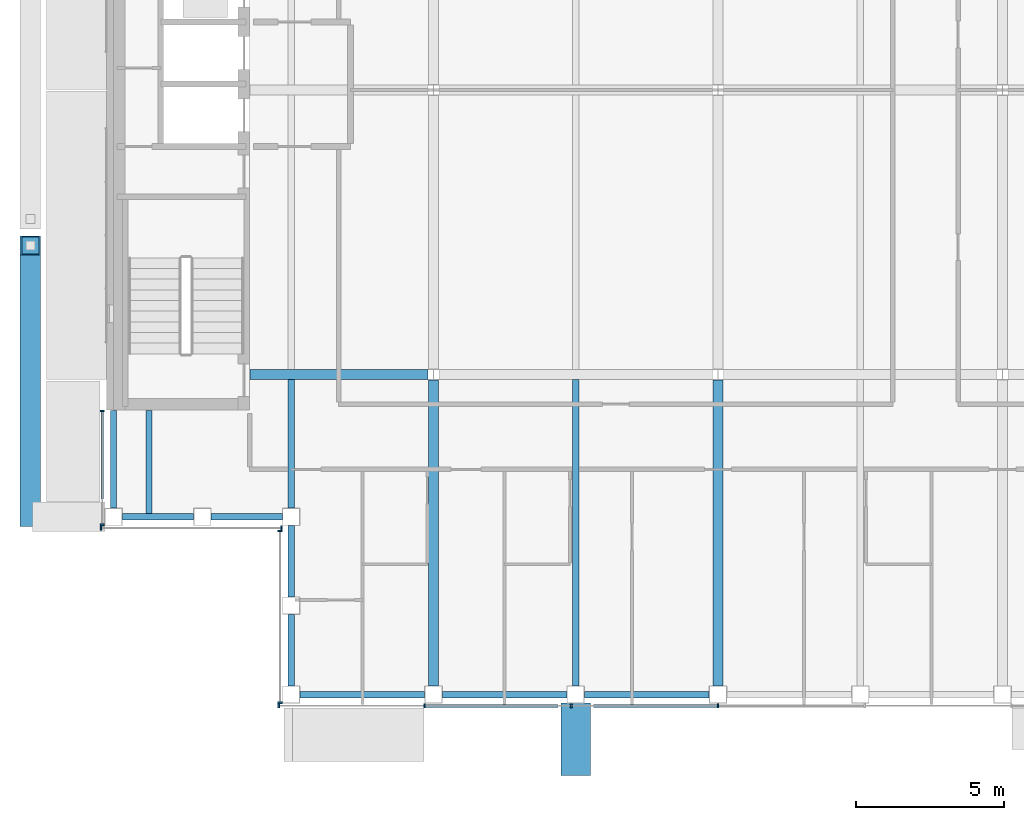
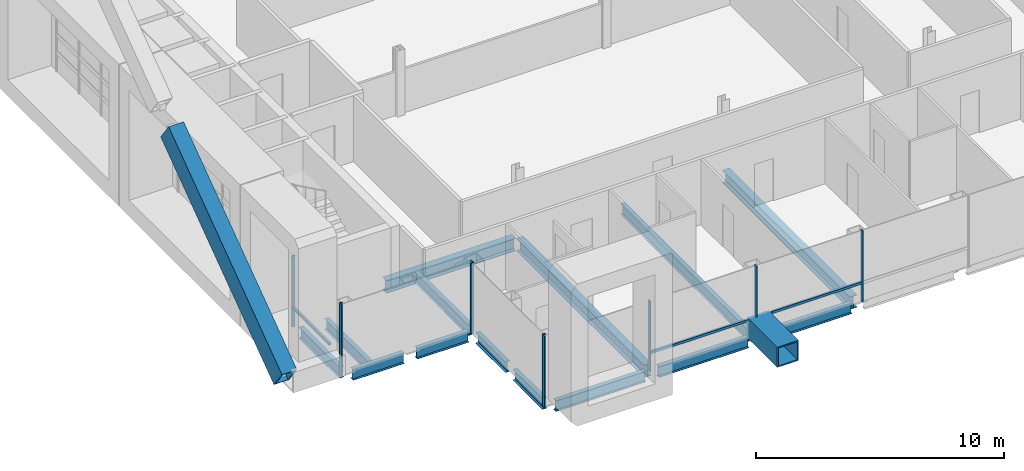
# One storey, part 4 of 23: 15 beams, 14 members, 4 elements without a shape of their own.
"""IFC4 building model written with IfcOpenShell, lengths in metres."""

from ifc_helpers import new_model, si_unit, direction, frame, origin, origin_2d, place, context, subcontext, project, spatial, rectangle, hollow_rectangle, i_section, extrude, material, material_profile, profile_set, type_object, element, aggregate, save


model = new_model("IFC4")

# Units and contexts
model_context = context("Model", 3, precision=1e-05, world=origin(), true_north=direction((0.0, 1.0)))
body_context = subcontext(model_context, "Body", "Model", "MODEL_VIEW")
ifc_project = project(units=[si_unit("LENGTHUNIT", "METRE"), si_unit("AREAUNIT", "SQUARE_METRE"), si_unit("VOLUMEUNIT", "CUBIC_METRE"), si_unit("PLANEANGLEUNIT", "RADIAN"), si_unit("MASSUNIT", "GRAM", prefix="KILO")], contexts=[model_context])

# Site, building, storey
site_placement = place(None, origin())
site = spatial("IfcSite", under=ifc_project, at=site_placement, CompositionType="ELEMENT")
building_placement = place(site_placement, origin())
building = spatial("IfcBuilding", under=site, at=building_placement, Name="Cobrizo Arcos Hotel Tower", CompositionType="ELEMENT")
storey_placement = place(building_placement, frame((0.0, 0.0, 262.0)))
storey = spatial("IfcBuildingStorey", under=building, at=storey_placement, Name="L69", CompositionType="ELEMENT", Elevation=262.0)

# Beam
ifc_material_1 = material(Name="Steel ASTM A572 Grade 50", Category="steel")
ifc_material_profile_1 = material_profile(ifc_material_1, hollow_rectangle(XDim=1.0, YDim=1.0, WallThickness=0.06005859375, at=origin_2d()), Name="BOX 1000X1000X60")
ifc_profile_set_1 = profile_set([ifc_material_profile_1], Name="Steel ASTM A572 Grade 50")
beam_type_1 = type_object("IfcBeamType", Name="BOX 1000X1000X60 brace connector strut", PredefinedType="BEAM", material=ifc_profile_set_1)
beam_1_placement = place(storey_placement, frame((-4.800048828125, -20.68994140625, 0.5), z_axis=(0.0, -1.0, 0.0), x_axis=(1.0, 0.0, 0.0)))
element("IfcBeam", 1, at=beam_1_placement, inside=storey, type_object=beam_type_1, Name="Perimeter brace stub BS1, zone Z5, south face, offset -4.80 m, L69", PredefinedType="BEAM", context=body_context, shape_type="SweptSolid", body=[
    extrude(hollow_rectangle(XDim=1.0, YDim=1.0, WallThickness=0.06005859375, at=origin_2d()), origin(), (0.0, 0.0, 1.0), 2.43017578125),
])

# Member
ifc_material_profile_2 = material_profile(ifc_material_1, hollow_rectangle(XDim=0.699951171875, YDim=1.10009765625, WallThickness=0.06005859375, at=origin_2d()), Name="BOX 700X1100X60")
ifc_profile_set_2 = profile_set([ifc_material_profile_2], Name="Steel ASTM A572 Grade 50")
member_type_1 = type_object("IfcMemberType", Name="BOX 700X1100X60 perimeter brace", PredefinedType="BRACE", material=ifc_profile_set_2)
member_1_placement = place(storey_placement, frame((-23.199951171875, -14.39990234375, 0.5), z_axis=(0.0, 0.808010734919, 0.589167762404), x_axis=(-1.0, 0.0, 0.0)))
element("IfcMember", 2, at=member_1_placement, inside=storey, type_object=member_type_1, Name="Perimeter brace PBR5, zone Z5, west face, no. 03", PredefinedType="BRACE", context=body_context, shape_type="SweptSolid", body=[
    extrude(hollow_rectangle(XDim=0.699951171875, YDim=1.10009765625, WallThickness=0.06005859375, at=origin_2d()), origin(), (0.0, 0.0, 1.0), 11.333251953125),
])

# Curtain wall, members
ifc_material_2 = material(Name="Aluminium 6063-T6 anodised bronze", Category="aluminium")
curtain_wall_type = type_object("IfcCurtainWallType", Name="CW-A guest facade", PredefinedType="NOTDEFINED", material=ifc_material_2)
curtain_wall_1_placement = place(storey_placement, origin())
curtain_wall_1 = element("IfcCurtainWall", 3, at=curtain_wall_1_placement, inside=storey, type_object=curtain_wall_type, Name="CW-A L69 S face", PredefinedType="NOTDEFINED")
ifc_material_profile_3 = material_profile(ifc_material_2, rectangle(XDim=0.14990234375, YDim=0.06005859375, at=origin_2d()), Name="CW-A mullion 150x60")
ifc_profile_set_3 = profile_set([ifc_material_profile_3], Name="Aluminium 6063-T6 anodised bronze")
member_type_2 = type_object("IfcMemberType", Name="CW-A mullion 150x60", PredefinedType="MULLION", material=ifc_profile_set_3)
member_2_placement = place(storey_placement, frame((-14.820068359375, -20.77490234375, 0.0), z_axis=(0.0, 0.0, 1.0), x_axis=(0.0, -1.0, 0.0)))
member_2 = element("IfcMember", 4, at=member_2_placement, type_object=member_type_2, Name="CW-A mullion 1", PredefinedType="MULLION", context=body_context, shape_type="SweptSolid", body=[
    extrude(rectangle(XDim=0.14990234375, YDim=0.06005859375, at=origin_2d()), origin(), (0.0, 0.0, 1.0), 3.5),
])
member_3_placement = place(storey_placement, frame((-9.89990234375, -20.77490234375, 0.0), z_axis=(0.0, 0.0, 1.0), x_axis=(0.0, -1.0, 0.0)))
member_3 = element("IfcMember", 5, at=member_3_placement, type_object=member_type_2, Name="CW-A mullion 2", PredefinedType="MULLION", context=body_context, shape_type="SweptSolid", body=[
    extrude(rectangle(XDim=0.14990234375, YDim=0.06005859375, at=origin_2d()), origin(), (0.0, 0.0, 1.0), 3.5),
])
member_4_placement = place(storey_placement, frame((-4.949951171875, -20.77490234375, 0.0), z_axis=(0.0, 0.0, 1.0), x_axis=(0.0, -1.0, 0.0)))
member_4 = element("IfcMember", 6, at=member_4_placement, type_object=member_type_2, Name="CW-A mullion 3", PredefinedType="MULLION", context=body_context, shape_type="SweptSolid", body=[
    extrude(rectangle(XDim=0.14990234375, YDim=0.06005859375, at=origin_2d()), origin(), (0.0, 0.0, 1.0), 3.5),
])
member_5_placement = place(storey_placement, frame((0.0, -20.77490234375, 0.0), z_axis=(0.0, 0.0, 1.0), x_axis=(0.0, -1.0, 0.0)))
member_5 = element("IfcMember", 7, at=member_5_placement, type_object=member_type_2, Name="CW-A mullion 4", PredefinedType="MULLION", context=body_context, shape_type="SweptSolid", body=[
    extrude(rectangle(XDim=0.14990234375, YDim=0.06005859375, at=origin_2d()), origin(), (0.0, 0.0, 1.0), 3.5),
])

curtain_wall_2_placement = place(storey_placement, origin())
curtain_wall_2 = element("IfcCurtainWall", 8, at=curtain_wall_2_placement, inside=storey, type_object=curtain_wall_type, Name="CW-A L69 W face", PredefinedType="NOTDEFINED")
member_6_placement = place(storey_placement, frame((-20.77490234375, -10.830078125, 0.0), z_axis=(0.0, 0.0, 1.0), x_axis=(-1.0, 0.0, 0.0)))
member_6 = element("IfcMember", 9, at=member_6_placement, type_object=member_type_2, Name="CW-A mullion 1", PredefinedType="MULLION", context=body_context, shape_type="SweptSolid", body=[
    extrude(rectangle(XDim=0.14990234375, YDim=0.06005859375, at=origin_2d()), origin(), (0.0, 0.0, 1.0), 3.5),
])
member_7_placement = place(storey_placement, frame((-20.77490234375, -14.669921875, 0.0), z_axis=(0.0, 0.0, 1.0), x_axis=(-1.0, 0.0, 0.0)))
member_7 = element("IfcMember", 10, at=member_7_placement, type_object=member_type_2, Name="CW-A mullion 2", PredefinedType="MULLION", context=body_context, shape_type="SweptSolid", body=[
    extrude(rectangle(XDim=0.14990234375, YDim=0.06005859375, at=origin_2d()), origin(), (0.0, 0.0, 1.0), 3.5),
])

curtain_wall_3_placement = place(storey_placement, origin())
curtain_wall_3 = element("IfcCurtainWall", 11, at=curtain_wall_3_placement, inside=storey, type_object=curtain_wall_type, Name="CW-A L69 S face", PredefinedType="NOTDEFINED")
member_8_placement = place(storey_placement, frame((-20.820068359375, -14.77490234375, 0.0), z_axis=(0.0, 0.0, 1.0), x_axis=(0.0, -1.0, 0.0)))
member_8 = element("IfcMember", 12, at=member_8_placement, type_object=member_type_2, Name="CW-A mullion 1", PredefinedType="MULLION", context=body_context, shape_type="SweptSolid", body=[
    extrude(rectangle(XDim=0.14990234375, YDim=0.06005859375, at=origin_2d()), origin(), (0.0, 0.0, 1.0), 3.5),
])
member_9_placement = place(storey_placement, frame((-14.72998046875, -14.77490234375, 0.0), z_axis=(0.0, 0.0, 1.0), x_axis=(0.0, -1.0, 0.0)))
member_9 = element("IfcMember", 13, at=member_9_placement, type_object=member_type_2, Name="CW-A mullion 2", PredefinedType="MULLION", context=body_context, shape_type="SweptSolid", body=[
    extrude(rectangle(XDim=0.14990234375, YDim=0.06005859375, at=origin_2d()), origin(), (0.0, 0.0, 1.0), 3.5),
])
aggregate(curtain_wall_3, [member_8, member_9])

curtain_wall_4_placement = place(storey_placement, origin())
curtain_wall_4 = element("IfcCurtainWall", 14, at=curtain_wall_4_placement, inside=storey, type_object=curtain_wall_type, Name="CW-A L69 W face", PredefinedType="NOTDEFINED")
member_10_placement = place(storey_placement, frame((-14.77490234375, -14.8798828125, 0.0), z_axis=(0.0, 0.0, 1.0), x_axis=(-1.0, 0.0, 0.0)))
member_10 = element("IfcMember", 15, at=member_10_placement, type_object=member_type_2, Name="CW-A mullion 1", PredefinedType="MULLION", context=body_context, shape_type="SweptSolid", body=[
    extrude(rectangle(XDim=0.14990234375, YDim=0.06005859375, at=origin_2d()), origin(), (0.0, 0.0, 1.0), 3.5),
])
member_11_placement = place(storey_placement, frame((-14.77490234375, -20.669921875, 0.0), z_axis=(0.0, 0.0, 1.0), x_axis=(-1.0, 0.0, 0.0)))
member_11 = element("IfcMember", 16, at=member_11_placement, type_object=member_type_2, Name="CW-A mullion 2", PredefinedType="MULLION", context=body_context, shape_type="SweptSolid", body=[
    extrude(rectangle(XDim=0.14990234375, YDim=0.06005859375, at=origin_2d()), origin(), (0.0, 0.0, 1.0), 3.5),
])
aggregate(curtain_wall_4, [member_10, member_11])

# Member
ifc_material_profile_4 = material_profile(ifc_material_2, rectangle(XDim=0.10009765625, YDim=0.1201171875, at=origin_2d()), Name="CW-A transom 120x100")
ifc_profile_set_4 = profile_set([ifc_material_profile_4], Name="Aluminium 6063-T6 anodised bronze")
member_type_3 = type_object("IfcMemberType", Name="CW-A transom 120x100", PredefinedType="USERDEFINED", material=ifc_profile_set_4)
member_12_placement = place(storey_placement, frame((-9.8701171875, -20.77490234375, 0.929931640625), z_axis=(1.0, 0.0, 0.0), x_axis=(0.0, 1.0, 0.0)))
member_12 = element("IfcMember", 17, at=member_12_placement, type_object=member_type_3, Name="CW-A transom 2157", ObjectType="TRANSOM", PredefinedType="USERDEFINED", context=body_context, shape_type="SweptSolid", body=[
    extrude(rectangle(XDim=0.10009765625, YDim=0.1201171875, at=origin_2d()), origin(), (0.0, 0.0, 1.0), 4.47021484375),
])

member_13_placement = place(storey_placement, frame((-4.199951171875, -20.77490234375, 0.929931640625), z_axis=(1.0, 0.0, 0.0), x_axis=(0.0, 1.0, 0.0)))
member_13 = element("IfcMember", 18, at=member_13_placement, type_object=member_type_3, Name="CW-A transom 2158", ObjectType="TRANSOM", PredefinedType="USERDEFINED", context=body_context, shape_type="SweptSolid", body=[
    extrude(rectangle(XDim=0.10009765625, YDim=0.1201171875, at=origin_2d()), origin(), (0.0, 0.0, 1.0), 4.169921875),
])

aggregate(curtain_wall_1, [member_2, member_3, member_4, member_5, member_12, member_13])

member_14_placement = place(storey_placement, frame((-20.77490234375, -10.860107421875, 0.929931640625), z_axis=(0.0, -1.0, 0.0), x_axis=(1.0, 0.0, 0.0)))
member_14 = element("IfcMember", 19, at=member_14_placement, type_object=member_type_3, Name="CW-A transom 2177", ObjectType="TRANSOM", PredefinedType="USERDEFINED", context=body_context, shape_type="SweptSolid", body=[
    extrude(rectangle(XDim=0.10009765625, YDim=0.1201171875, at=origin_2d()), origin(), (0.0, 0.0, 1.0), 2.93994140625),
])

aggregate(curtain_wall_2, [member_6, member_7, member_14])

# Beams
ifc_material_3 = material(Name="Steel ASTM A992 Grade 50", Category="steel")
ifc_material_profile_5 = material_profile(ifc_material_3, i_section(OverallWidth=0.209228515625, OverallDepth=0.533447265625, WebThickness=0.01025390625, FlangeThickness=0.015625, at=origin_2d()), Name="W21X62")
ifc_profile_set_5 = profile_set([ifc_material_profile_5], Name="Steel ASTM A992 Grade 50")
beam_type_2 = type_object("IfcBeamType", Name="W21X62 joist", PredefinedType="JOIST", material=ifc_profile_set_5)
beam_2_placement = place(storey_placement, frame((-19.199951171875, -14.31005859375, -0.416748046875), z_axis=(0.0, 1.0, 0.0), x_axis=(-1.0, 0.0, 0.0)))
element("IfcBeam", 20, at=beam_2_placement, inside=storey, type_object=beam_type_2, Name="Floor joist J1, L69, no. 001", PredefinedType="JOIST", context=body_context, shape_type="SweptSolid", body=[
    extrude(i_section(OverallWidth=0.209228515625, OverallDepth=0.533447265625, WebThickness=0.01025390625, FlangeThickness=0.015625, at=origin_2d()), origin(), (0.0, 0.0, 1.0), 3.5),
])
beam_3_placement = place(storey_placement, frame((-14.39990234375, -14.10009765625, -0.416748046875), z_axis=(0.0, 1.0, 0.0), x_axis=(-1.0, 0.0, 0.0)))
element("IfcBeam", 21, at=beam_3_placement, inside=storey, type_object=beam_type_2, Name="Floor joist J1, L69, no. 003", PredefinedType="JOIST", context=body_context, shape_type="SweptSolid", body=[
    extrude(i_section(OverallWidth=0.209228515625, OverallDepth=0.533447265625, WebThickness=0.01025390625, FlangeThickness=0.015625, at=origin_2d()), origin(), (0.0, 0.0, 1.0), 4.336181640625),
])
beam_4_placement = place(storey_placement, frame((-4.800048828125, -20.10009765625, -0.416748046875), z_axis=(0.0, 1.0, 0.0), x_axis=(-1.0, 0.0, 0.0)))
element("IfcBeam", 22, at=beam_4_placement, inside=storey, type_object=beam_type_2, Name="Floor joist J1, L69, no. 007", PredefinedType="JOIST", context=body_context, shape_type="SweptSolid", body=[
    extrude(i_section(OverallWidth=0.209228515625, OverallDepth=0.533447265625, WebThickness=0.01025390625, FlangeThickness=0.015625, at=origin_2d()), origin(), (0.0, 0.0, 1.0), 10.336181640625),
])
ifc_material_profile_6 = material_profile(ifc_material_3, i_section(OverallWidth=0.209228515625, OverallDepth=0.533447265625, WebThickness=0.01025390625, FlangeThickness=0.015625, at=origin_2d()), Name="W21X62")
ifc_profile_set_6 = profile_set([ifc_material_profile_6], Name="Steel ASTM A992 Grade 50")
beam_type_3 = type_object("IfcBeamType", Name="W21X62 spandrel", PredefinedType="SPANDREL", material=ifc_profile_set_6)
beam_5_placement = place(storey_placement, frame((-14.10009765625, -20.39990234375, -0.416748046875), z_axis=(1.0, 0.0, 0.0), x_axis=(0.0, 1.0, 0.0)))
element("IfcBeam", 23, at=beam_5_placement, inside=storey, type_object=beam_type_3, Name="Spandrel beam W21X62, L69, no. 001", PredefinedType="SPANDREL", context=body_context, shape_type="SweptSolid", body=[
    extrude(i_section(OverallWidth=0.209228515625, OverallDepth=0.533447265625, WebThickness=0.01025390625, FlangeThickness=0.015625, at=origin_2d()), origin(), (0.0, 0.0, 1.0), 4.2001953125),
])
for number, where, z_axis, x_axis, name in (
    (24, (-9.300048828125, -20.39990234375, -0.416748046875), (1.0, 0.0, 0.0), (0.0, 1.0, 0.0), "Spandrel beam W21X62, L69, no. 002"),
    (25, (-4.5, -20.39990234375, -0.416748046875), (1.0, 0.0, 0.0), (0.0, 1.0, 0.0), "Spandrel beam W21X62, L69, no. 003"),
):
    element("IfcBeam", number, at=place(storey_placement, frame(where, z_axis=z_axis, x_axis=x_axis)), inside=storey, type_object=beam_type_3, Name=name, PredefinedType="SPANDREL", context=body_context, shape_type="SweptSolid", body=[
        extrude(i_section(OverallWidth=0.209228515625, OverallDepth=0.533447265625, WebThickness=0.01025390625, FlangeThickness=0.015625, at=origin_2d()), origin(), (0.0, 0.0, 1.0), 4.199951171875),
    ])
beam_6_placement = place(storey_placement, frame((-20.39990234375, -10.81005859375, -0.416748046875), z_axis=(0.0, -1.0, 0.0), x_axis=(1.0, 0.0, 0.0)))
element("IfcBeam", 26, at=beam_6_placement, inside=storey, type_object=beam_type_3, Name="Spandrel beam W21X62, L69, no. 028", PredefinedType="SPANDREL", context=body_context, shape_type="SweptSolid", body=[
    extrude(i_section(OverallWidth=0.209228515625, OverallDepth=0.533447265625, WebThickness=0.01025390625, FlangeThickness=0.015625, at=origin_2d()), origin(), (0.0, 0.0, 1.0), 3.2900390625),
])
for number, where, z_axis, x_axis, name in (
    (27, (-20.10009765625, -14.39990234375, -0.416748046875), (1.0, 0.0, 0.0), (0.0, 1.0, 0.0), "Spandrel beam W21X62, L69, no. 029"),
    (28, (-17.10009765625, -14.39990234375, -0.416748046875), (1.0, 0.0, 0.0), (0.0, 1.0, 0.0), "Spandrel beam W21X62, L69, no. 030"),
    (29, (-14.39990234375, -14.699951171875, -0.416748046875), (0.0, -1.0, 0.0), (1.0, 0.0, 0.0), "Spandrel beam W21X62, L69, no. 031"),
    (30, (-14.39990234375, -17.699951171875, -0.416748046875), (0.0, -1.0, 0.0), (1.0, 0.0, 0.0), "Spandrel beam W21X62, L69, no. 032"),
):
    element("IfcBeam", number, at=place(storey_placement, frame(where, z_axis=z_axis, x_axis=x_axis)), inside=storey, type_object=beam_type_3, Name=name, PredefinedType="SPANDREL", context=body_context, shape_type="SweptSolid", body=[
        extrude(i_section(OverallWidth=0.209228515625, OverallDepth=0.533447265625, WebThickness=0.01025390625, FlangeThickness=0.015625, at=origin_2d()), origin(), (0.0, 0.0, 1.0), 2.400146484375),
    ])
ifc_material_profile_7 = material_profile(ifc_material_3, i_section(OverallWidth=0.32763671875, OverallDepth=0.622314453125, WebThickness=0.015380859375, FlangeThickness=0.0244140625, at=origin_2d()), Name="W24X131")
ifc_profile_set_7 = profile_set([ifc_material_profile_7], Name="Steel ASTM A992 Grade 50")
beam_type_4 = type_object("IfcBeamType", Name="W24X131 girder", PredefinedType="BEAM", material=ifc_profile_set_7)
beam_7_placement = place(storey_placement, frame((-15.7900390625, -9.60009765625, -0.461181640625), z_axis=(1.0, 0.0, 0.0), x_axis=(0.0, 1.0, 0.0)))
element("IfcBeam", 31, at=beam_7_placement, inside=storey, type_object=beam_type_4, Name="Floor girder G1, L69, no. 001", PredefinedType="BEAM", context=body_context, shape_type="SweptSolid", body=[
    extrude(i_section(OverallWidth=0.32763671875, OverallDepth=0.622314453125, WebThickness=0.015380859375, FlangeThickness=0.0244140625, at=origin_2d()), origin(), (0.0, 0.0, 1.0), 6.005859375),
])
for number, where, z_axis, x_axis, name in (
    (32, (-9.60009765625, -20.10009765625, -0.461181640625), (0.0, 1.0, 0.0), (-1.0, 0.0, 0.0), "Floor girder G1, L69, no. 013"),
    (33, (0.0, -20.10009765625, -0.461181640625), (0.0, 1.0, 0.0), (-1.0, 0.0, 0.0), "Floor girder G1, L69, no. 017"),
):
    element("IfcBeam", number, at=place(storey_placement, frame(where, z_axis=z_axis, x_axis=x_axis)), inside=storey, type_object=beam_type_4, Name=name, PredefinedType="BEAM", context=body_context, shape_type="SweptSolid", body=[
        extrude(i_section(OverallWidth=0.32763671875, OverallDepth=0.622314453125, WebThickness=0.015380859375, FlangeThickness=0.0244140625, at=origin_2d()), origin(), (0.0, 0.0, 1.0), 10.31591796875),
    ])

save(model, "model.ifc")
